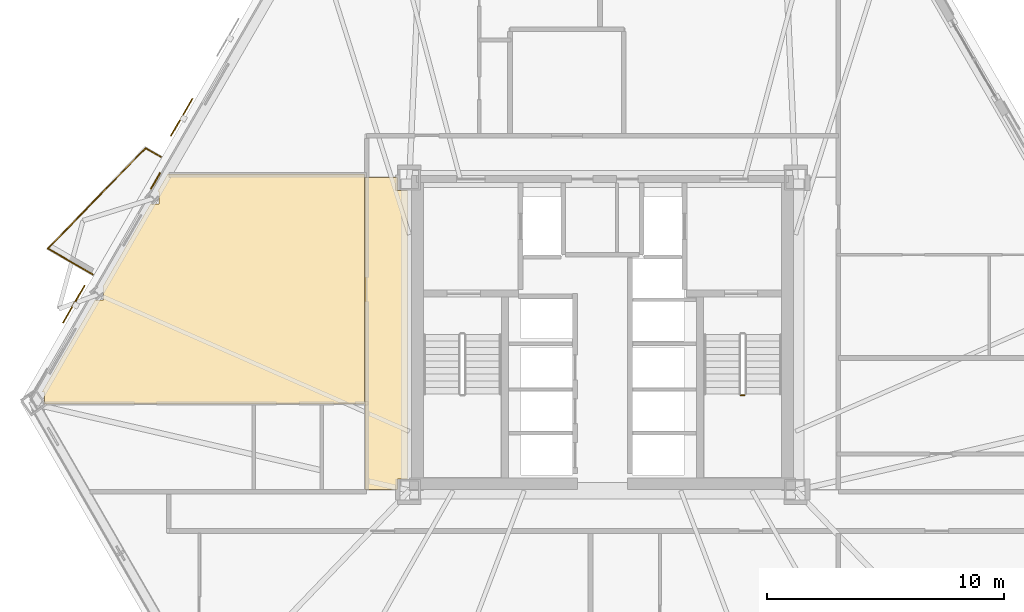
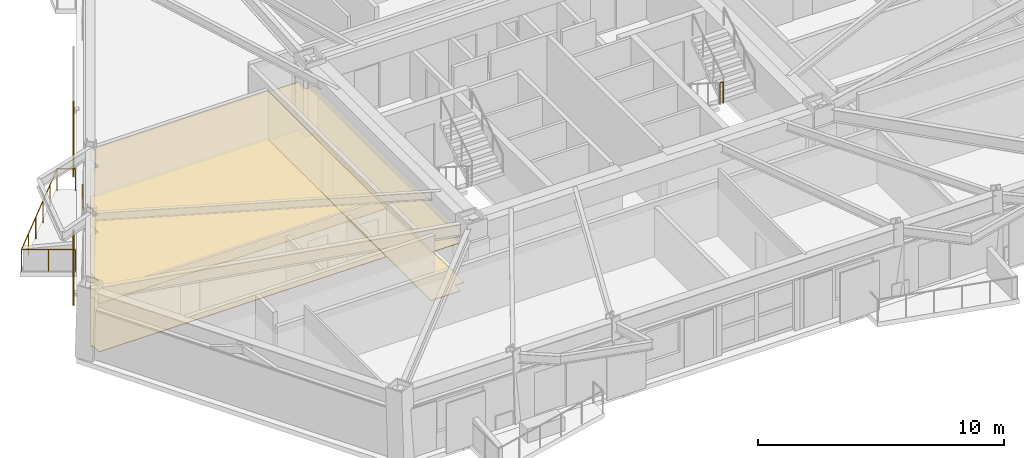
# One storey, part 13 of 15: 5 coverings, 4 railings, 2 shading devices.
"""IFC4 building model written with IfcOpenShell, lengths in metres."""

from ifc_helpers import new_model, si_unit, direction, frame, origin, origin_2d, place, context, subcontext, project, spatial, polyline, rectangle, circle, outline, extrude, material, layer, layer_set, type_object, element, save


model = new_model("IFC4")

# Units and contexts
model_context = context("Model", 3, precision=1e-05, world=origin(), true_north=direction((0.0, 1.0)))
body_context = subcontext(model_context, "Body", "Model", "MODEL_VIEW")
ifc_project = project(units=[si_unit("LENGTHUNIT", "METRE"), si_unit("AREAUNIT", "SQUARE_METRE"), si_unit("VOLUMEUNIT", "CUBIC_METRE"), si_unit("PLANEANGLEUNIT", "RADIAN"), si_unit("MASSUNIT", "GRAM", prefix="KILO")], contexts=[model_context])

# Site, building, storey
site_placement = place(None, origin())
site = spatial("IfcSite", under=ifc_project, at=site_placement, CompositionType="ELEMENT")
building_placement = place(site_placement, origin())
building = spatial("IfcBuilding", under=site, at=building_placement, Name="Oramaril Tower", CompositionType="ELEMENT")
storey_placement = place(building_placement, frame((0.0, 0.0, 48.89990234375)))
storey = spatial("IfcBuildingStorey", under=building, at=storey_placement, Name="L12", CompositionType="ELEMENT", Elevation=48.89990234375)

# Coverings
ifc_material_1 = material(Name="Mineral Fibre Acoustic Ceiling")
ifc_layer_1 = layer(ifc_material_1, 0.02001953125)
ifc_layer_set_1 = layer_set([ifc_layer_1], Name="CVT-CEIL")
covering_type_1 = type_object("IfcCoveringType", Name="CVT-CEIL", PredefinedType="CEILING", material=ifc_layer_set_1)
covering_1_placement = place(storey_placement, frame((0.0, 0.0, 2.400146484375)))
element("IfcCovering", 1, at=covering_1_placement, inside=storey, type_object=covering_type_1, Name="L12 Acoustic Suspended Ceiling 3", PredefinedType="CEILING", context=body_context, shape_type="SweptSolid", body=[
    extrude(outline(polyline([(28.85498046875, 23.655029296875), (29.280029296875, 23.655029296875), (29.280029296875, 11.4951171875), (28.85498046875, 11.4951171875), (28.85498046875, 11.050048828125), (27.469970703125, 11.050048828125), (27.469970703125, 24.219970703125), (28.85498046875, 24.219970703125), (28.85498046875, 23.655029296875)])), origin(), (0.0, 0.0, 1.0), 0.02001953125),
])
covering_2_placement = place(storey_placement, frame((0.0, 0.0, 2.400146484375)))
element("IfcCovering", 2, at=covering_2_placement, inside=storey, type_object=covering_type_1, Name="L12 Acoustic Suspended Ceiling 10", PredefinedType="CEILING", context=body_context, shape_type="SweptSolid", body=[
    extrude(outline(polyline([(13.9619140625, 14.651611328125), (13.9619140625, 15.15771484375), (13.85302734375, 15.15771484375), (16.091064453125, 19.0390625), (16.450927734375, 19.0390625), (16.450927734375, 19.590087890625), (16.40869140625, 19.590087890625), (18.426025390625, 23.088623046875), (18.7890625, 23.088623046875), (18.7890625, 23.628662109375), (18.7373046875, 23.628662109375), (19.16015625, 24.362060546875), (27.449951171875, 24.362060546875), (27.449951171875, 24.239990234375), (27.4501953125, 24.238037109375), (27.450439453125, 24.236083984375), (27.450927734375, 24.234130859375), (27.451416015625, 24.232421875), (27.452392578125, 24.230712890625), (27.45263671875, 24.22998046875), (27.452392578125, 24.2294921875), (27.451416015625, 24.227783203125), (27.450927734375, 24.225830078125), (27.450439453125, 24.223876953125), (27.4501953125, 24.221923828125), (27.449951171875, 24.219970703125), (27.449951171875, 14.651611328125), (13.9619140625, 14.651611328125)])), origin(), (0.0, 0.0, 1.0), 0.02001953125),
])
ifc_material_2 = material(Name="Warm Cream Limestone", Category="masonry")
ifc_layer_2 = layer(ifc_material_2, 0.050048828125)
ifc_layer_set_2 = layer_set([ifc_layer_2], Name="CVT-CLD")
covering_type_2 = type_object("IfcCoveringType", Name="CVT-CLD", PredefinedType="CLADDING", material=ifc_layer_set_2)
covering_3_placement = place(storey_placement, frame((18.64111328125, 24.065185546875, 0.0400390625), z_axis=(0.0, 0.0, 1.0), x_axis=(-0.5, -0.866025403784, 0.0)))
element("IfcCovering", 3, at=covering_3_placement, inside=storey, type_object=covering_type_2, Name="L12 Warm Cream Limestone Spandrel Cladding", PredefinedType="CLADDING", context=body_context, shape_type="SweptSolid", body=[
    extrude(rectangle(XDim=0.800048828125, YDim=0.050048828125, at=origin_2d()), origin(), (0.0, 0.0, 1.0), 0.679931640625),
])
ifc_material_3 = material(Name="Honed Quartzite Stone Flooring", Category="masonry")
ifc_layer_3 = layer(ifc_material_3, 0.02490234375)
ifc_layer_set_3 = layer_set([ifc_layer_3], Name="CVT-FLR")
covering_type_3 = type_object("IfcCoveringType", Name="CVT-FLR", PredefinedType="FLOORING", material=ifc_layer_set_3)
covering_4_placement = place(storey_placement, origin())
element("IfcCovering", 4, at=covering_4_placement, inside=storey, type_object=covering_type_3, Name="L12 Honed Stone Floor Finish 3", PredefinedType="FLOORING", context=body_context, shape_type="SweptSolid", body=[
    extrude(outline(polyline([(28.85498046875, 23.655029296875), (29.280029296875, 23.655029296875), (29.280029296875, 11.4951171875), (28.85498046875, 11.4951171875), (28.85498046875, 11.050048828125), (27.469970703125, 11.050048828125), (27.469970703125, 24.219970703125), (28.85498046875, 24.219970703125), (28.85498046875, 23.655029296875)])), origin(), (0.0, 0.0, 1.0), 0.025146484375),
])
covering_5_placement = place(storey_placement, origin())
element("IfcCovering", 5, at=covering_5_placement, inside=storey, type_object=covering_type_3, Name="L12 Honed Stone Floor Finish 10", PredefinedType="FLOORING", context=body_context, shape_type="SweptSolid", body=[
    extrude(outline(polyline([(13.9619140625, 14.651611328125), (13.9619140625, 15.15771484375), (13.85302734375, 15.15771484375), (16.091064453125, 19.0390625), (16.450927734375, 19.0390625), (16.450927734375, 19.590087890625), (16.40869140625, 19.590087890625), (18.426025390625, 23.088623046875), (18.7890625, 23.088623046875), (18.7890625, 23.628662109375), (18.7373046875, 23.628662109375), (19.16015625, 24.362060546875), (27.449951171875, 24.362060546875), (27.449951171875, 24.239990234375), (27.4501953125, 24.238037109375), (27.450439453125, 24.236083984375), (27.450927734375, 24.234130859375), (27.451416015625, 24.232421875), (27.452392578125, 24.230712890625), (27.45263671875, 24.22998046875), (27.452392578125, 24.2294921875), (27.451416015625, 24.227783203125), (27.450927734375, 24.225830078125), (27.450439453125, 24.223876953125), (27.4501953125, 24.221923828125), (27.449951171875, 24.219970703125), (27.449951171875, 14.651611328125), (13.9619140625, 14.651611328125)])), origin(), (0.0, 0.0, 1.0), 0.025146484375),
])

# Railings
ifc_material_4 = material(Name="Stainless Steel 316L", Category="steel")
railing_type = type_object("IfcRailingType", Name="RLT-GRD", PredefinedType="GUARDRAIL", material=ifc_material_4)
railing_1_placement = place(storey_placement, frame((15.998779296875, 20.1181640625, 0.0)))
element("IfcRailing", 6, at=railing_1_placement, inside=storey, type_object=railing_type, Name="L12 Balcony Guardrail L12-BAL-NW2.1", PredefinedType="GUARDRAIL", context=body_context, shape_type="SweptSolid", body=[
    extrude(circle(Radius=0.02392578125, at=origin_2d()), frame((0.0, 0.0, 1.076171875), z_axis=(-0.866048343933, 0.499960264392, 0.0), x_axis=(-0.499960264392, -0.866048343933, 0.0)), (0.0, 0.0, 1.0), 2.192138671875),
    extrude(circle(Radius=0.02099609375, at=origin_2d()), origin(), (0.0, 0.0, 1.0), 1.052001953125),
    extrude(circle(Radius=0.02099609375, at=origin_2d()), frame((-0.94921875, 0.5478515625, 0.0)), (0.0, 0.0, 1.0), 1.052001953125),
    extrude(circle(Radius=0.02099609375, at=origin_2d()), frame((-1.8984375, 1.095947265625, 0.0)), (0.0, 0.0, 1.0), 1.052001953125),
])
railing_2_placement = place(storey_placement, frame((14.100341796875, 21.214111328125, 0.0)))
element("IfcRailing", 7, at=railing_2_placement, inside=storey, type_object=railing_type, Name="L12 Balcony Guardrail L12-BAL-NW2.2", PredefinedType="GUARDRAIL", context=body_context, shape_type="SweptSolid", body=[
    extrude(circle(Radius=0.02392578125, at=origin_2d()), frame((0.0, 0.0, 1.076171875), z_axis=(0.697186915353, 0.716889395277, 0.0), x_axis=(-0.716889395277, 0.697186915353, 0.0)), (0.0, 0.0, 1.0), 5.91064453125),
    extrude(circle(Radius=0.02099609375, at=origin_2d()), origin(), (0.0, 0.0, 1.0), 1.052001953125),
    extrude(circle(Radius=0.02099609375, at=origin_2d()), frame((0.82421875, 0.847412109375, 0.0)), (0.0, 0.0, 1.0), 1.052001953125),
    extrude(circle(Radius=0.02099609375, at=origin_2d()), frame((1.6484375, 1.69482421875, 0.0)), (0.0, 0.0, 1.0), 1.052001953125),
    extrude(circle(Radius=0.02099609375, at=origin_2d()), frame((2.472412109375, 2.54248046875, 0.0)), (0.0, 0.0, 1.0), 1.052001953125),
    extrude(circle(Radius=0.02099609375, at=origin_2d()), frame((3.296630859375, 3.389892578125, 0.0)), (0.0, 0.0, 1.0), 1.052001953125),
    extrude(circle(Radius=0.02099609375, at=origin_2d()), frame((4.120849609375, 4.2373046875, 0.0)), (0.0, 0.0, 1.0), 1.052001953125),
])
railing_3_placement = place(storey_placement, frame((18.22119140625, 25.451416015625, 0.0)))
element("IfcRailing", 8, at=railing_3_placement, inside=storey, type_object=railing_type, Name="L12 Balcony Guardrail L12-BAL-NW2.3", PredefinedType="GUARDRAIL", context=body_context, shape_type="SweptSolid", body=[
    extrude(circle(Radius=0.02392578125, at=origin_2d()), frame((0.0, 0.0, 1.076171875), z_axis=(0.866108878364, -0.499855389907, 0.0), x_axis=(0.499855389907, 0.866108878364, 0.0)), (0.0, 0.0, 1.0), 0.741943359375),
    extrude(circle(Radius=0.02099609375, at=origin_2d()), origin(), (0.0, 0.0, 1.0), 1.052001953125),
    extrude(circle(Radius=0.02099609375, at=origin_2d()), frame((0.642578125, -0.370849609375, 0.0)), (0.0, 0.0, 1.0), 1.052001953125),
])
railing_4_placement = place(storey_placement, frame((43.340087890625, 15.02001953125, 1.800048828125)))
element("IfcRailing", 9, at=railing_4_placement, inside=storey, type_object=railing_type, Name="L12 ST-2 stair guard 2", PredefinedType="GUARDRAIL", context=body_context, shape_type="SweptSolid", body=[
    extrude(circle(Radius=0.02392578125, at=origin_2d()), frame((0.0, 0.0, 1.076171875), z_axis=(1.0, 0.0, 0.0), x_axis=(0.0, 1.0, 0.0)), (0.0, 0.0, 1.0), 0.14990234375),
    extrude(circle(Radius=0.02099609375, at=origin_2d()), origin(), (0.0, 0.0, 1.0), 1.052001953125),
    extrude(circle(Radius=0.02099609375, at=origin_2d()), frame((0.14990234375, 0.0, 0.0)), (0.0, 0.0, 1.0), 1.052001953125),
])

# Shading devices
for number, where, z_axis, x_axis, name in (
    (10, (15.19287109375, 18.8662109375, -0.02001953125), (0.0, 0.0, 1.0), (-0.5, -0.866025403784, 0.0), "L12 Perforated Ceramic Solar Screen"),
    (11, (19.74462890625, 26.750244140625, -0.02001953125), (0.0, 0.0, 1.0), (-0.5, -0.866025403784, 0.0), "L12 Perforated Ceramic Solar Screen"),
):
    element("IfcShadingDevice", number, at=place(storey_placement, frame(where, z_axis=z_axis, x_axis=x_axis)), inside=storey, Name=name, ObjectType="SCREEN", PredefinedType="USERDEFINED", context=body_context, shape_type="SweptSolid", body=[
        extrude(rectangle(XDim=1.8330078125, YDim=0.050048828125, at=origin_2d()), origin(), (0.0, 0.0, 1.0), 2.493896484375),
    ])

save(model, "model.ifc")
